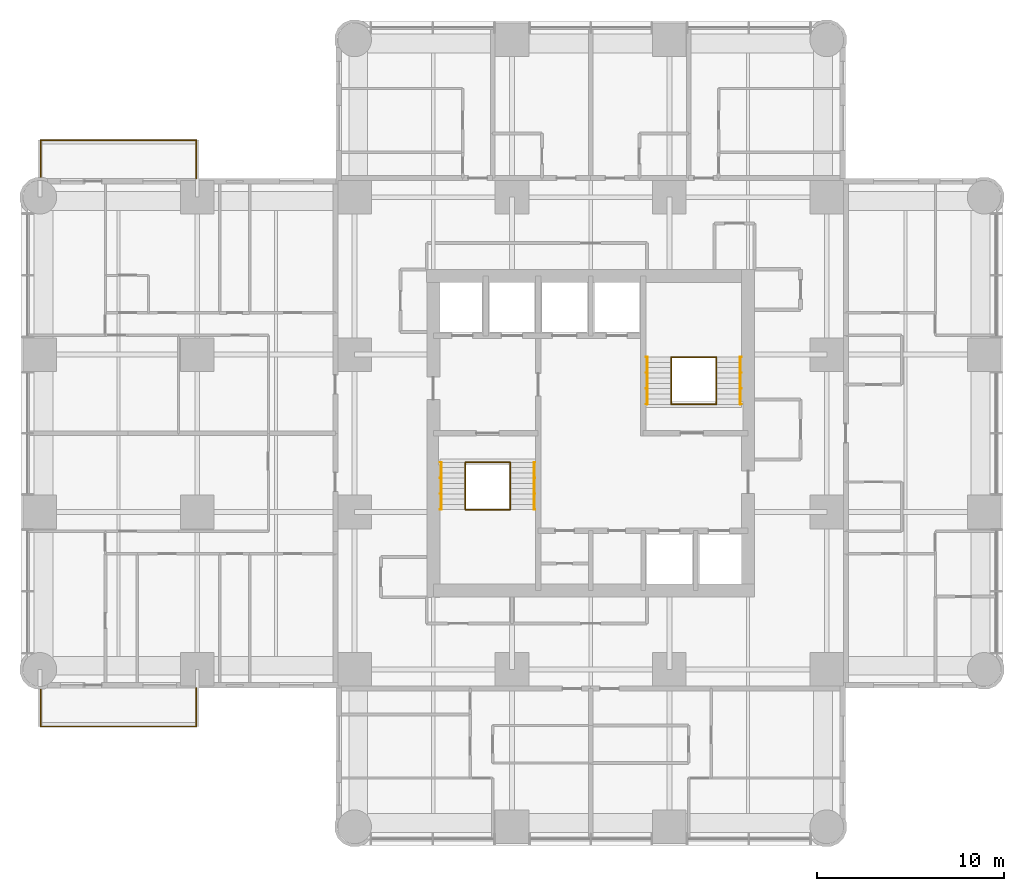
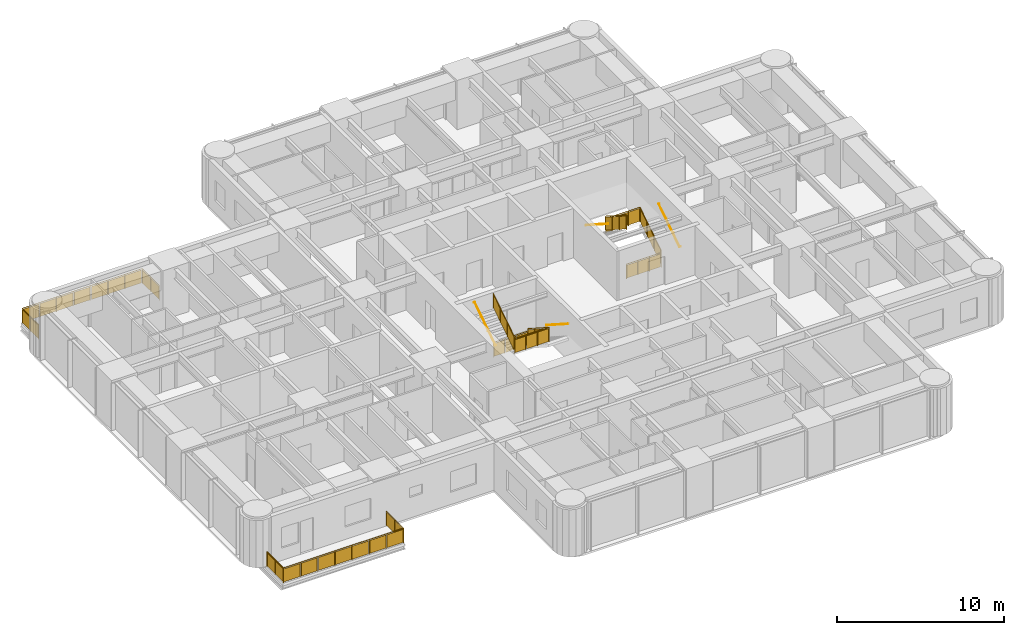
# One storey, part 11 of 11: 14 railings.
"""IFC4 building model written with IfcOpenShell, lengths in metres."""

from ifc_helpers import new_model, si_unit, direction, frame, origin, origin_2d, place, context, subcontext, project, spatial, polyline, circle, outline, extrude, material, constituent, constituent_set, type_object, element, save


model = new_model("IFC4")

# Units and contexts
model_context = context("Model", 3, precision=1e-05, world=origin(), true_north=direction((0.0, 1.0)))
body_context = subcontext(model_context, "Body", "Model", "MODEL_VIEW")
ifc_project = project(units=[si_unit("LENGTHUNIT", "METRE"), si_unit("AREAUNIT", "SQUARE_METRE"), si_unit("VOLUMEUNIT", "CUBIC_METRE"), si_unit("PLANEANGLEUNIT", "RADIAN"), si_unit("MASSUNIT", "GRAM", prefix="KILO")], contexts=[model_context])

# Site, building, storey
site_placement = place(None, origin())
site = spatial("IfcSite", under=ifc_project, at=site_placement, CompositionType="ELEMENT")
building_placement = place(site_placement, origin())
building = spatial("IfcBuilding", under=site, at=building_placement, Name="Torre Alcanfor", CompositionType="ELEMENT")
storey_placement = place(building_placement, frame((0.0, 0.0, 186.89990234375)))
storey = spatial("IfcBuildingStorey", under=building, at=storey_placement, Name="L48", CompositionType="ELEMENT", Elevation=186.89990234375)

# Railings
ifc_material_1 = material(Name="Laminated safety glass", Category="glass")
ifc_constituent_1 = constituent(ifc_material_1, Name="Infill")
ifc_material_2 = material(Name="Stainless steel ASTM A554 Grade MT 316L tube", Category="steel")
ifc_constituent_2 = constituent(ifc_material_2, Name="Posts and rail")
ifc_constituent_set = constituent_set(constituents=[ifc_constituent_1, ifc_constituent_2], Name="Balcony guard glass 1100")
railing_type_1 = type_object("IfcRailingType", Name="Balcony guard glass 1100", PredefinedType="BALUSTRADE", material=ifc_constituent_set)
railing_1_placement = place(storey_placement, frame((8.35009765625, 15.800048828125, 0.0)))
element("IfcRailing", 1, at=railing_1_placement, inside=storey, type_object=railing_type_1, Name="Balcony guard L48-W1", PredefinedType="BALUSTRADE", context=body_context, shape_type="SweptSolid", body=[
    extrude(circle(Radius=0.02392578125, at=origin_2d()), frame((0.0, 0.0, 1.076171875), z_axis=(0.0, -1.0, 0.0), x_axis=(1.0, 0.0, 0.0)), (0.0, 0.0, 1.0), 2.050048828125),
    extrude(circle(Radius=0.02392578125, at=origin_2d()), frame((0.0, -2.050048828125, 1.076171875), z_axis=(-1.0, 0.0, 0.0), x_axis=(0.0, -1.0, 0.0)), (0.0, 0.0, 1.0), 8.300048828125),
    extrude(circle(Radius=0.02392578125, at=origin_2d()), frame((-8.300048828125, -2.050048828125, 1.076171875), z_axis=(0.0, 1.0, 0.0), x_axis=(-1.0, 0.0, 0.0)), (0.0, 0.0, 1.0), 1.968994140625),
    extrude(circle(Radius=0.02099609375, at=origin_2d()), origin(), (0.0, 0.0, 1.0), 1.052001953125),
    extrude(circle(Radius=0.02099609375, at=origin_2d()), frame((0.0, -1.02490234375, 0.0)), (0.0, 0.0, 1.0), 1.052001953125),
    extrude(circle(Radius=0.02099609375, at=origin_2d()), frame((0.0, -2.050048828125, 0.0)), (0.0, 0.0, 1.0), 1.052001953125),
    extrude(circle(Radius=0.02099609375, at=origin_2d()), frame((-1.185791015625, -2.050048828125, 0.0)), (0.0, 0.0, 1.0), 1.052001953125),
    extrude(circle(Radius=0.02099609375, at=origin_2d()), frame((-2.371337890625, -2.050048828125, 0.0)), (0.0, 0.0, 1.0), 1.052001953125),
    extrude(circle(Radius=0.02099609375, at=origin_2d()), frame((-3.55712890625, -2.050048828125, 0.0)), (0.0, 0.0, 1.0), 1.052001953125),
    extrude(circle(Radius=0.02099609375, at=origin_2d()), frame((-4.742919921875, -2.050048828125, 0.0)), (0.0, 0.0, 1.0), 1.052001953125),
    extrude(circle(Radius=0.02099609375, at=origin_2d()), frame((-5.9287109375, -2.050048828125, 0.0)), (0.0, 0.0, 1.0), 1.052001953125),
    extrude(circle(Radius=0.02099609375, at=origin_2d()), frame((-7.1142578125, -2.050048828125, 0.0)), (0.0, 0.0, 1.0), 1.052001953125),
    extrude(circle(Radius=0.02099609375, at=origin_2d()), frame((-8.300048828125, -2.050048828125, 0.0)), (0.0, 0.0, 1.0), 1.052001953125),
    extrude(circle(Radius=0.02099609375, at=origin_2d()), frame((-8.300048828125, -1.0654296875, 0.0)), (0.0, 0.0, 1.0), 1.052001953125),
    extrude(circle(Radius=0.02099609375, at=origin_2d()), frame((-8.300048828125, -0.0810546875, 0.0)), (0.0, 0.0, 1.0), 1.052001953125),
    extrude(outline(polyline([(0.041015625, 0.050048828125), (0.984130859375, 0.050048828125), (0.984130859375, 1.001953125), (0.041015625, 1.001953125), (0.041015625, 0.050048828125)])), frame((0.005859375, 0.0, 0.0), z_axis=(-1.0, 0.0, 0.0), x_axis=(0.0, -1.0, 0.0)), (0.0, 0.0, 1.0), 0.011962890625),
    extrude(outline(polyline([(1.06591796875, 0.050048828125), (2.009033203125, 0.050048828125), (2.009033203125, 1.001953125), (1.06591796875, 1.001953125), (1.06591796875, 0.050048828125)])), frame((0.005859375, 0.0, 0.0), z_axis=(-1.0, 0.0, 0.0), x_axis=(0.0, -1.0, 0.0)), (0.0, 0.0, 1.0), 0.011962890625),
    extrude(outline(polyline([(0.041015625, 0.050048828125), (1.144775390625, 0.050048828125), (1.144775390625, 1.001953125), (0.041015625, 1.001953125), (0.041015625, 0.050048828125)])), frame((0.0, -2.05615234375, 0.0), z_axis=(0.0, 1.0, 0.0), x_axis=(-1.0, 0.0, 0.0)), (0.0, 0.0, 1.0), 0.011962890625),
    extrude(outline(polyline([(1.226806640625, 0.050048828125), (2.330322265625, 0.050048828125), (2.330322265625, 1.001953125), (1.226806640625, 1.001953125), (1.226806640625, 0.050048828125)])), frame((0.0, -2.05615234375, 0.0), z_axis=(0.0, 1.0, 0.0), x_axis=(-1.0, 0.0, 0.0)), (0.0, 0.0, 1.0), 0.011962890625),
    extrude(outline(polyline([(2.412353515625, 0.050048828125), (3.51611328125, 0.050048828125), (3.51611328125, 1.001953125), (2.412353515625, 1.001953125), (2.412353515625, 0.050048828125)])), frame((0.0, -2.05615234375, 0.0), z_axis=(0.0, 1.0, 0.0), x_axis=(-1.0, 0.0, 0.0)), (0.0, 0.0, 1.0), 0.011962890625),
    extrude(outline(polyline([(3.59814453125, 0.050048828125), (4.701904296875, 0.050048828125), (4.701904296875, 1.001953125), (3.59814453125, 1.001953125), (3.59814453125, 0.050048828125)])), frame((0.0, -2.05615234375, 0.0), z_axis=(0.0, 1.0, 0.0), x_axis=(-1.0, 0.0, 0.0)), (0.0, 0.0, 1.0), 0.011962890625),
    extrude(outline(polyline([(4.783935546875, 0.050048828125), (5.8876953125, 0.050048828125), (5.8876953125, 1.001953125), (4.783935546875, 1.001953125), (4.783935546875, 0.050048828125)])), frame((0.0, -2.05615234375, 0.0), z_axis=(0.0, 1.0, 0.0), x_axis=(-1.0, 0.0, 0.0)), (0.0, 0.0, 1.0), 0.011962890625),
    extrude(outline(polyline([(5.9697265625, 0.050048828125), (7.0732421875, 0.050048828125), (7.0732421875, 1.001953125), (5.9697265625, 1.001953125), (5.9697265625, 0.050048828125)])), frame((0.0, -2.05615234375, 0.0), z_axis=(0.0, 1.0, 0.0), x_axis=(-1.0, 0.0, 0.0)), (0.0, 0.0, 1.0), 0.011962890625),
    extrude(outline(polyline([(7.1552734375, 0.050048828125), (8.259033203125, 0.050048828125), (8.259033203125, 1.001953125), (7.1552734375, 1.001953125), (7.1552734375, 0.050048828125)])), frame((0.0, -2.05615234375, 0.0), z_axis=(0.0, 1.0, 0.0), x_axis=(-1.0, 0.0, 0.0)), (0.0, 0.0, 1.0), 0.011962890625),
    extrude(outline(polyline([(0.041015625, 0.050048828125), (0.943603515625, 0.050048828125), (0.943603515625, 1.001953125), (0.041015625, 1.001953125), (0.041015625, 0.050048828125)])), frame((-8.30615234375, -2.050048828125, 0.0), z_axis=(1.0, 0.0, 0.0), x_axis=(0.0, 1.0, 0.0)), (0.0, 0.0, 1.0), 0.011962890625),
    extrude(outline(polyline([(1.025390625, 0.050048828125), (1.927978515625, 0.050048828125), (1.927978515625, 1.001953125), (1.025390625, 1.001953125), (1.025390625, 0.050048828125)])), frame((-8.30615234375, -2.050048828125, 0.0), z_axis=(1.0, 0.0, 0.0), x_axis=(0.0, 1.0, 0.0)), (0.0, 0.0, 1.0), 0.011962890625),
])
railing_2_placement = place(storey_placement, frame((8.35009765625, 43.0, 0.0)))
element("IfcRailing", 2, at=railing_2_placement, inside=storey, type_object=railing_type_1, Name="Balcony guard L48-W2", PredefinedType="BALUSTRADE", context=body_context, shape_type="SweptSolid", body=[
    extrude(circle(Radius=0.02392578125, at=origin_2d()), frame((0.0, 0.0, 1.076171875), z_axis=(0.0, 1.0, 0.0), x_axis=(-1.0, 0.0, 0.0)), (0.0, 0.0, 1.0), 2.050048828125),
    extrude(circle(Radius=0.02392578125, at=origin_2d()), frame((0.0, 2.050048828125, 1.076171875), z_axis=(-1.0, 0.0, 0.0), x_axis=(0.0, -1.0, 0.0)), (0.0, 0.0, 1.0), 8.300048828125),
    extrude(circle(Radius=0.02392578125, at=origin_2d()), frame((-8.300048828125, 2.050048828125, 1.076171875), z_axis=(0.0, -1.0, 0.0), x_axis=(1.0, 0.0, 0.0)), (0.0, 0.0, 1.0), 1.968994140625),
    extrude(circle(Radius=0.02099609375, at=origin_2d()), origin(), (0.0, 0.0, 1.0), 1.052001953125),
    extrude(circle(Radius=0.02099609375, at=origin_2d()), frame((0.0, 1.02490234375, 0.0)), (0.0, 0.0, 1.0), 1.052001953125),
    extrude(circle(Radius=0.02099609375, at=origin_2d()), frame((0.0, 2.050048828125, 0.0)), (0.0, 0.0, 1.0), 1.052001953125),
    extrude(circle(Radius=0.02099609375, at=origin_2d()), frame((-1.185791015625, 2.050048828125, 0.0)), (0.0, 0.0, 1.0), 1.052001953125),
    extrude(circle(Radius=0.02099609375, at=origin_2d()), frame((-2.371337890625, 2.050048828125, 0.0)), (0.0, 0.0, 1.0), 1.052001953125),
    extrude(circle(Radius=0.02099609375, at=origin_2d()), frame((-3.55712890625, 2.050048828125, 0.0)), (0.0, 0.0, 1.0), 1.052001953125),
    extrude(circle(Radius=0.02099609375, at=origin_2d()), frame((-4.742919921875, 2.050048828125, 0.0)), (0.0, 0.0, 1.0), 1.052001953125),
    extrude(circle(Radius=0.02099609375, at=origin_2d()), frame((-5.9287109375, 2.050048828125, 0.0)), (0.0, 0.0, 1.0), 1.052001953125),
    extrude(circle(Radius=0.02099609375, at=origin_2d()), frame((-7.1142578125, 2.050048828125, 0.0)), (0.0, 0.0, 1.0), 1.052001953125),
    extrude(circle(Radius=0.02099609375, at=origin_2d()), frame((-8.300048828125, 2.050048828125, 0.0)), (0.0, 0.0, 1.0), 1.052001953125),
    extrude(circle(Radius=0.02099609375, at=origin_2d()), frame((-8.300048828125, 1.0654296875, 0.0)), (0.0, 0.0, 1.0), 1.052001953125),
    extrude(circle(Radius=0.02099609375, at=origin_2d()), frame((-8.300048828125, 0.0810546875, 0.0)), (0.0, 0.0, 1.0), 1.052001953125),
    extrude(outline(polyline([(0.041015625, 0.050048828125), (0.984130859375, 0.050048828125), (0.984130859375, 1.001953125), (0.041015625, 1.001953125), (0.041015625, 0.050048828125)])), frame((-0.005859375, 0.0, 0.0), z_axis=(1.0, 0.0, 0.0), x_axis=(0.0, 1.0, 0.0)), (0.0, 0.0, 1.0), 0.011962890625),
    extrude(outline(polyline([(1.06591796875, 0.050048828125), (2.009033203125, 0.050048828125), (2.009033203125, 1.001953125), (1.06591796875, 1.001953125), (1.06591796875, 0.050048828125)])), frame((-0.005859375, 0.0, 0.0), z_axis=(1.0, 0.0, 0.0), x_axis=(0.0, 1.0, 0.0)), (0.0, 0.0, 1.0), 0.011962890625),
    extrude(outline(polyline([(0.041015625, 0.050048828125), (1.144775390625, 0.050048828125), (1.144775390625, 1.001953125), (0.041015625, 1.001953125), (0.041015625, 0.050048828125)])), frame((0.0, 2.0439453125, 0.0), z_axis=(0.0, 1.0, 0.0), x_axis=(-1.0, 0.0, 0.0)), (0.0, 0.0, 1.0), 0.011962890625),
    extrude(outline(polyline([(1.226806640625, 0.050048828125), (2.330322265625, 0.050048828125), (2.330322265625, 1.001953125), (1.226806640625, 1.001953125), (1.226806640625, 0.050048828125)])), frame((0.0, 2.0439453125, 0.0), z_axis=(0.0, 1.0, 0.0), x_axis=(-1.0, 0.0, 0.0)), (0.0, 0.0, 1.0), 0.011962890625),
    extrude(outline(polyline([(2.412353515625, 0.050048828125), (3.51611328125, 0.050048828125), (3.51611328125, 1.001953125), (2.412353515625, 1.001953125), (2.412353515625, 0.050048828125)])), frame((0.0, 2.0439453125, 0.0), z_axis=(0.0, 1.0, 0.0), x_axis=(-1.0, 0.0, 0.0)), (0.0, 0.0, 1.0), 0.011962890625),
    extrude(outline(polyline([(3.59814453125, 0.050048828125), (4.701904296875, 0.050048828125), (4.701904296875, 1.001953125), (3.59814453125, 1.001953125), (3.59814453125, 0.050048828125)])), frame((0.0, 2.0439453125, 0.0), z_axis=(0.0, 1.0, 0.0), x_axis=(-1.0, 0.0, 0.0)), (0.0, 0.0, 1.0), 0.011962890625),
    extrude(outline(polyline([(4.783935546875, 0.050048828125), (5.8876953125, 0.050048828125), (5.8876953125, 1.001953125), (4.783935546875, 1.001953125), (4.783935546875, 0.050048828125)])), frame((0.0, 2.0439453125, 0.0), z_axis=(0.0, 1.0, 0.0), x_axis=(-1.0, 0.0, 0.0)), (0.0, 0.0, 1.0), 0.011962890625),
    extrude(outline(polyline([(5.9697265625, 0.050048828125), (7.0732421875, 0.050048828125), (7.0732421875, 1.001953125), (5.9697265625, 1.001953125), (5.9697265625, 0.050048828125)])), frame((0.0, 2.0439453125, 0.0), z_axis=(0.0, 1.0, 0.0), x_axis=(-1.0, 0.0, 0.0)), (0.0, 0.0, 1.0), 0.011962890625),
    extrude(outline(polyline([(7.1552734375, 0.050048828125), (8.259033203125, 0.050048828125), (8.259033203125, 1.001953125), (7.1552734375, 1.001953125), (7.1552734375, 0.050048828125)])), frame((0.0, 2.0439453125, 0.0), z_axis=(0.0, 1.0, 0.0), x_axis=(-1.0, 0.0, 0.0)), (0.0, 0.0, 1.0), 0.011962890625),
    extrude(outline(polyline([(0.041015625, 0.050048828125), (0.943603515625, 0.050048828125), (0.943603515625, 1.001953125), (0.041015625, 1.001953125), (0.041015625, 0.050048828125)])), frame((-8.2939453125, 2.050048828125, 0.0), z_axis=(-1.0, 0.0, 0.0), x_axis=(0.0, -1.0, 0.0)), (0.0, 0.0, 1.0), 0.011962890625),
    extrude(outline(polyline([(1.025390625, 0.050048828125), (1.927978515625, 0.050048828125), (1.927978515625, 1.001953125), (1.025390625, 1.001953125), (1.025390625, 0.050048828125)])), frame((-8.2939453125, 2.050048828125, 0.0), z_axis=(-1.0, 0.0, 0.0), x_axis=(0.0, -1.0, 0.0)), (0.0, 0.0, 1.0), 0.011962890625),
])
ifc_material_3 = material(Name="Steel ASTM A500 Grade C hollow sections", Category="steel")
railing_type_2 = type_object("IfcRailingType", Name="Stair guard and handrail 1100", PredefinedType="GUARDRAIL", material=ifc_material_3)
railing_3_placement = place(storey_placement, frame((25.10009765625, 27.85009765625, 0.18017578125)))
element("IfcRailing", 3, at=railing_3_placement, inside=storey, type_object=railing_type_2, Name="Stair guard S1 L48 flight 1", PredefinedType="GUARDRAIL", context=body_context, shape_type="SweptSolid", body=[
    extrude(circle(Radius=0.02392578125, at=origin_2d()), frame((0.0, 0.0, 1.076171875), z_axis=(0.0, -0.841199657755, 0.540724639528), x_axis=(1.0, 0.0, 0.0)), (0.0, 0.0, 1.0), 2.995849609375),
    extrude(circle(Radius=0.02099609375, at=origin_2d()), origin(), (0.0, 0.0, 1.0), 1.052001953125),
    extrude(circle(Radius=0.02099609375, at=origin_2d()), frame((0.0, -0.840087890625, 0.5400390625)), (0.0, 0.0, 1.0), 1.052001953125),
    extrude(circle(Radius=0.02099609375, at=origin_2d()), frame((0.0, -1.679931640625, 1.079833984375)), (0.0, 0.0, 1.0), 1.052001953125),
    extrude(circle(Radius=0.02099609375, at=origin_2d()), frame((0.0, -2.52001953125, 1.619873046875)), (0.0, 0.0, 1.0), 1.052001953125),
    extrude(outline(polyline([(0.041015625, 0.076416015625), (0.799072265625, 0.563720703125), (0.799072265625, 1.515625), (0.041015625, 1.0283203125), (0.041015625, 0.076416015625)])), frame((0.005859375, 0.0, 0.0), z_axis=(-1.0, 0.0, 0.0), x_axis=(0.0, -1.0, 0.0)), (0.0, 0.0, 1.0), 0.011962890625),
    extrude(outline(polyline([(0.881103515625, 0.6162109375), (1.638916015625, 1.103515625), (1.638916015625, 2.0556640625), (0.881103515625, 1.568359375), (0.881103515625, 0.6162109375)])), frame((0.005859375, 0.0, 0.0), z_axis=(-1.0, 0.0, 0.0), x_axis=(0.0, -1.0, 0.0)), (0.0, 0.0, 1.0), 0.011962890625),
    extrude(outline(polyline([(1.720947265625, 1.15625), (2.47900390625, 1.6435546875), (2.47900390625, 2.595458984375), (1.720947265625, 2.108154296875), (1.720947265625, 1.15625)])), frame((0.005859375, 0.0, 0.0), z_axis=(-1.0, 0.0, 0.0), x_axis=(0.0, -1.0, 0.0)), (0.0, 0.0, 1.0), 0.011962890625),
])
railing_4_placement = place(storey_placement, frame((22.699951171875, 25.330078125, 1.97998046875)))
element("IfcRailing", 4, at=railing_4_placement, inside=storey, type_object=railing_type_2, Name="Stair guard S1 L48 flight 2", PredefinedType="GUARDRAIL", context=body_context, shape_type="SweptSolid", body=[
    extrude(circle(Radius=0.02392578125, at=origin_2d()), frame((0.0, 0.0, 1.076171875), z_axis=(0.0, 0.841162588446, 0.540782303519), x_axis=(-1.0, 0.0, 0.0)), (0.0, 0.0, 1.0), 2.995849609375),
    extrude(circle(Radius=0.02099609375, at=origin_2d()), origin(), (0.0, 0.0, 1.0), 1.052001953125),
    extrude(circle(Radius=0.02099609375, at=origin_2d()), frame((0.0, 0.840087890625, 0.5400390625)), (0.0, 0.0, 1.0), 1.052001953125),
    extrude(circle(Radius=0.02099609375, at=origin_2d()), frame((0.0, 1.679931640625, 1.080078125)), (0.0, 0.0, 1.0), 1.052001953125),
    extrude(circle(Radius=0.02099609375, at=origin_2d()), frame((0.0, 2.52001953125, 1.6201171875)), (0.0, 0.0, 1.0), 1.052001953125),
    extrude(outline(polyline([(0.041015625, 0.076416015625), (0.799072265625, 0.563720703125), (0.799072265625, 1.515625), (0.041015625, 1.0283203125), (0.041015625, 0.076416015625)])), frame((-0.005859375, 0.0, 0.0), z_axis=(1.0, 0.0, 0.0), x_axis=(0.0, 1.0, 0.0)), (0.0, 0.0, 1.0), 0.011962890625),
    extrude(outline(polyline([(0.881103515625, 0.616455078125), (1.638916015625, 1.103759765625), (1.638916015625, 2.0556640625), (0.881103515625, 1.568359375), (0.881103515625, 0.616455078125)])), frame((-0.005859375, 0.0, 0.0), z_axis=(1.0, 0.0, 0.0), x_axis=(0.0, 1.0, 0.0)), (0.0, 0.0, 1.0), 0.011962890625),
    extrude(outline(polyline([(1.720947265625, 1.156494140625), (2.47900390625, 1.643798828125), (2.47900390625, 2.595703125), (1.720947265625, 2.1083984375), (1.720947265625, 1.156494140625)])), frame((-0.005859375, 0.0, 0.0), z_axis=(1.0, 0.0, 0.0), x_axis=(0.0, 1.0, 0.0)), (0.0, 0.0, 1.0), 0.011962890625),
])
for number, where, name in (
    (5, (22.699951171875, 27.85009765625, 0.0), "Stair well guard S1 L48 floor landing"),
    (6, (22.699951171875, 25.330078125, 1.800048828125), "Stair well guard S1 L48 half landing"),
):
    element("IfcRailing", number, at=place(storey_placement, frame(where)), inside=storey, type_object=railing_type_2, Name=name, PredefinedType="GUARDRAIL", context=body_context, shape_type="SweptSolid", body=[
        extrude(circle(Radius=0.02392578125, at=origin_2d()), frame((0.0, 0.0, 1.076171875), z_axis=(1.0, 0.0, 0.0), x_axis=(0.0, 1.0, 0.0)), (0.0, 0.0, 1.0), 2.400146484375),
        extrude(circle(Radius=0.02099609375, at=origin_2d()), origin(), (0.0, 0.0, 1.0), 1.052001953125),
        extrude(circle(Radius=0.02099609375, at=origin_2d()), frame((0.800048828125, 0.0, 0.0)), (0.0, 0.0, 1.0), 1.052001953125),
        extrude(circle(Radius=0.02099609375, at=origin_2d()), frame((1.60009765625, 0.0, 0.0)), (0.0, 0.0, 1.0), 1.052001953125),
        extrude(circle(Radius=0.02099609375, at=origin_2d()), frame((2.400146484375, 0.0, 0.0)), (0.0, 0.0, 1.0), 1.052001953125),
        extrude(outline(polyline([(0.041015625, 0.050048828125), (0.759033203125, 0.050048828125), (0.759033203125, 1.001953125), (0.041015625, 1.001953125), (0.041015625, 0.050048828125)])), frame((0.0, 0.005859375, 0.0), z_axis=(0.0, -1.0, 0.0), x_axis=(1.0, 0.0, 0.0)), (0.0, 0.0, 1.0), 0.011962890625),
        extrude(outline(polyline([(0.841064453125, 0.050048828125), (1.55908203125, 0.050048828125), (1.55908203125, 1.001953125), (0.841064453125, 1.001953125), (0.841064453125, 0.050048828125)])), frame((0.0, 0.005859375, 0.0), z_axis=(0.0, -1.0, 0.0), x_axis=(1.0, 0.0, 0.0)), (0.0, 0.0, 1.0), 0.011962890625),
        extrude(outline(polyline([(1.64111328125, 0.050048828125), (2.359130859375, 0.050048828125), (2.359130859375, 1.001953125), (1.64111328125, 1.001953125), (1.64111328125, 0.050048828125)])), frame((0.0, 0.005859375, 0.0), z_axis=(0.0, -1.0, 0.0), x_axis=(1.0, 0.0, 0.0)), (0.0, 0.0, 1.0), 0.011962890625),
    ])
railing_5_placement = place(storey_placement, frame((36.10009765625, 30.949951171875, 0.18017578125)))
element("IfcRailing", 7, at=railing_5_placement, inside=storey, type_object=railing_type_2, Name="Stair guard S2 L48 flight 1", PredefinedType="GUARDRAIL", context=body_context, shape_type="SweptSolid", body=[
    extrude(circle(Radius=0.02392578125, at=origin_2d()), frame((0.0, 0.0, 1.076171875), z_axis=(0.0, 0.841199657755, 0.540724639528), x_axis=(-1.0, 0.0, 0.0)), (0.0, 0.0, 1.0), 2.995849609375),
    extrude(circle(Radius=0.02099609375, at=origin_2d()), origin(), (0.0, 0.0, 1.0), 1.052001953125),
    extrude(circle(Radius=0.02099609375, at=origin_2d()), frame((0.0, 0.840087890625, 0.5400390625)), (0.0, 0.0, 1.0), 1.052001953125),
    extrude(circle(Radius=0.02099609375, at=origin_2d()), frame((0.0, 1.679931640625, 1.079833984375)), (0.0, 0.0, 1.0), 1.052001953125),
    extrude(circle(Radius=0.02099609375, at=origin_2d()), frame((0.0, 2.52001953125, 1.619873046875)), (0.0, 0.0, 1.0), 1.052001953125),
    extrude(outline(polyline([(0.041015625, 0.076416015625), (0.799072265625, 0.563720703125), (0.799072265625, 1.515625), (0.041015625, 1.0283203125), (0.041015625, 0.076416015625)])), frame((-0.005859375, 0.0, 0.0), z_axis=(1.0, 0.0, 0.0), x_axis=(0.0, 1.0, 0.0)), (0.0, 0.0, 1.0), 0.011962890625),
    extrude(outline(polyline([(0.881103515625, 0.6162109375), (1.638916015625, 1.103515625), (1.638916015625, 2.0556640625), (0.881103515625, 1.568359375), (0.881103515625, 0.6162109375)])), frame((-0.005859375, 0.0, 0.0), z_axis=(1.0, 0.0, 0.0), x_axis=(0.0, 1.0, 0.0)), (0.0, 0.0, 1.0), 0.011962890625),
    extrude(outline(polyline([(1.720947265625, 1.15625), (2.47900390625, 1.6435546875), (2.47900390625, 2.595458984375), (1.720947265625, 2.108154296875), (1.720947265625, 1.15625)])), frame((-0.005859375, 0.0, 0.0), z_axis=(1.0, 0.0, 0.0), x_axis=(0.0, 1.0, 0.0)), (0.0, 0.0, 1.0), 0.011962890625),
])
railing_6_placement = place(storey_placement, frame((33.699951171875, 33.469970703125, 1.97998046875)))
element("IfcRailing", 8, at=railing_6_placement, inside=storey, type_object=railing_type_2, Name="Stair guard S2 L48 flight 2", PredefinedType="GUARDRAIL", context=body_context, shape_type="SweptSolid", body=[
    extrude(circle(Radius=0.02392578125, at=origin_2d()), frame((0.0, 0.0, 1.076171875), z_axis=(0.0, -0.841162588446, 0.540782303519), x_axis=(1.0, 0.0, 0.0)), (0.0, 0.0, 1.0), 2.995849609375),
    extrude(circle(Radius=0.02099609375, at=origin_2d()), origin(), (0.0, 0.0, 1.0), 1.052001953125),
    extrude(circle(Radius=0.02099609375, at=origin_2d()), frame((0.0, -0.840087890625, 0.5400390625)), (0.0, 0.0, 1.0), 1.052001953125),
    extrude(circle(Radius=0.02099609375, at=origin_2d()), frame((0.0, -1.679931640625, 1.080078125)), (0.0, 0.0, 1.0), 1.052001953125),
    extrude(circle(Radius=0.02099609375, at=origin_2d()), frame((0.0, -2.52001953125, 1.6201171875)), (0.0, 0.0, 1.0), 1.052001953125),
    extrude(outline(polyline([(0.041015625, 0.076416015625), (0.799072265625, 0.563720703125), (0.799072265625, 1.515625), (0.041015625, 1.0283203125), (0.041015625, 0.076416015625)])), frame((0.005859375, 0.0, 0.0), z_axis=(-1.0, 0.0, 0.0), x_axis=(0.0, -1.0, 0.0)), (0.0, 0.0, 1.0), 0.011962890625),
    extrude(outline(polyline([(0.881103515625, 0.616455078125), (1.638916015625, 1.103759765625), (1.638916015625, 2.0556640625), (0.881103515625, 1.568359375), (0.881103515625, 0.616455078125)])), frame((0.005859375, 0.0, 0.0), z_axis=(-1.0, 0.0, 0.0), x_axis=(0.0, -1.0, 0.0)), (0.0, 0.0, 1.0), 0.011962890625),
    extrude(outline(polyline([(1.720947265625, 1.156494140625), (2.47900390625, 1.643798828125), (2.47900390625, 2.595703125), (1.720947265625, 2.1083984375), (1.720947265625, 1.156494140625)])), frame((0.005859375, 0.0, 0.0), z_axis=(-1.0, 0.0, 0.0), x_axis=(0.0, -1.0, 0.0)), (0.0, 0.0, 1.0), 0.011962890625),
])
for number, where, name in (
    (9, (33.699951171875, 30.949951171875, 0.0), "Stair well guard S2 L48 floor landing"),
    (10, (33.699951171875, 33.469970703125, 1.800048828125), "Stair well guard S2 L48 half landing"),
):
    element("IfcRailing", number, at=place(storey_placement, frame(where)), inside=storey, type_object=railing_type_2, Name=name, PredefinedType="GUARDRAIL", context=body_context, shape_type="SweptSolid", body=[
        extrude(circle(Radius=0.02392578125, at=origin_2d()), frame((0.0, 0.0, 1.076171875), z_axis=(1.0, 0.0, 0.0), x_axis=(0.0, 1.0, 0.0)), (0.0, 0.0, 1.0), 2.400146484375),
        extrude(circle(Radius=0.02099609375, at=origin_2d()), origin(), (0.0, 0.0, 1.0), 1.052001953125),
        extrude(circle(Radius=0.02099609375, at=origin_2d()), frame((0.800048828125, 0.0, 0.0)), (0.0, 0.0, 1.0), 1.052001953125),
        extrude(circle(Radius=0.02099609375, at=origin_2d()), frame((1.60009765625, 0.0, 0.0)), (0.0, 0.0, 1.0), 1.052001953125),
        extrude(circle(Radius=0.02099609375, at=origin_2d()), frame((2.400146484375, 0.0, 0.0)), (0.0, 0.0, 1.0), 1.052001953125),
        extrude(outline(polyline([(0.041015625, 0.050048828125), (0.759033203125, 0.050048828125), (0.759033203125, 1.001953125), (0.041015625, 1.001953125), (0.041015625, 0.050048828125)])), frame((0.0, 0.005859375, 0.0), z_axis=(0.0, -1.0, 0.0), x_axis=(1.0, 0.0, 0.0)), (0.0, 0.0, 1.0), 0.011962890625),
        extrude(outline(polyline([(0.841064453125, 0.050048828125), (1.55908203125, 0.050048828125), (1.55908203125, 1.001953125), (0.841064453125, 1.001953125), (0.841064453125, 0.050048828125)])), frame((0.0, 0.005859375, 0.0), z_axis=(0.0, -1.0, 0.0), x_axis=(1.0, 0.0, 0.0)), (0.0, 0.0, 1.0), 0.011962890625),
        extrude(outline(polyline([(1.64111328125, 0.050048828125), (2.359130859375, 0.050048828125), (2.359130859375, 1.001953125), (1.64111328125, 1.001953125), (1.64111328125, 0.050048828125)])), frame((0.0, 0.005859375, 0.0), z_axis=(0.0, -1.0, 0.0), x_axis=(1.0, 0.0, 0.0)), (0.0, 0.0, 1.0), 0.011962890625),
    ])
ifc_material_4 = material(Name="Steel ASTM A500 Grade C hollow sections", Category="steel")
railing_type_3 = type_object("IfcRailingType", Name="Stair wall handrail 900", PredefinedType="HANDRAIL", material=ifc_material_4)
railing_7_placement = place(storey_placement, frame((26.385009765625, 27.85009765625, 0.18017578125)))
element("IfcRailing", 11, at=railing_7_placement, inside=storey, type_object=railing_type_3, Name="Stair handrail S1 L48 flight 1", PredefinedType="HANDRAIL", context=body_context, shape_type="SweptSolid", body=[
    extrude(circle(Radius=0.02392578125, at=origin_2d()), frame((0.0, 0.0, 0.8759765625), z_axis=(0.0, -0.841199657755, 0.540724639528), x_axis=(1.0, 0.0, 0.0)), (0.0, 0.0, 1.0), 2.995849609375),
    extrude(circle(Radius=0.008056640625, at=origin_2d()), frame((0.0, 0.0, 0.8759765625), z_axis=(1.0, 0.0, 0.0), x_axis=(0.0, 0.0, 1.0)), (0.0, 0.0, 1.0), 0.06494140625),
    extrude(circle(Radius=0.008056640625, at=origin_2d()), frame((0.0, -0.840087890625, 1.415771484375), z_axis=(1.0, 0.0, 0.0), x_axis=(0.0, 0.0, 1.0)), (0.0, 0.0, 1.0), 0.06494140625),
    extrude(circle(Radius=0.008056640625, at=origin_2d()), frame((0.0, -1.679931640625, 1.955810546875), z_axis=(1.0, 0.0, 0.0), x_axis=(0.0, 0.0, 1.0)), (0.0, 0.0, 1.0), 0.06494140625),
    extrude(circle(Radius=0.008056640625, at=origin_2d()), frame((0.0, -2.52001953125, 2.49560546875), z_axis=(1.0, 0.0, 0.0), x_axis=(0.0, 0.0, 1.0)), (0.0, 0.0, 1.0), 0.06494140625),
])
railing_8_placement = place(storey_placement, frame((21.4150390625, 25.330078125, 1.97998046875)))
element("IfcRailing", 12, at=railing_8_placement, inside=storey, type_object=railing_type_3, Name="Stair handrail S1 L48 flight 2", PredefinedType="HANDRAIL", context=body_context, shape_type="SweptSolid", body=[
    extrude(circle(Radius=0.02392578125, at=origin_2d()), frame((0.0, 0.0, 0.8759765625), z_axis=(0.0, 0.841162588446, 0.540782303519), x_axis=(-1.0, 0.0, 0.0)), (0.0, 0.0, 1.0), 2.995849609375),
    extrude(circle(Radius=0.008056640625, at=origin_2d()), frame((0.0, 0.0, 0.8759765625), z_axis=(-1.0, 0.0, 0.0), x_axis=(0.0, 0.0, 1.0)), (0.0, 0.0, 1.0), 0.06494140625),
    extrude(circle(Radius=0.008056640625, at=origin_2d()), frame((0.0, 0.840087890625, 1.416015625), z_axis=(-1.0, 0.0, 0.0), x_axis=(0.0, 0.0, 1.0)), (0.0, 0.0, 1.0), 0.06494140625),
    extrude(circle(Radius=0.008056640625, at=origin_2d()), frame((0.0, 1.679931640625, 1.9560546875), z_axis=(-1.0, 0.0, 0.0), x_axis=(0.0, 0.0, 1.0)), (0.0, 0.0, 1.0), 0.06494140625),
    extrude(circle(Radius=0.008056640625, at=origin_2d()), frame((0.0, 2.52001953125, 2.49609375), z_axis=(-1.0, 0.0, 0.0), x_axis=(0.0, 0.0, 1.0)), (0.0, 0.0, 1.0), 0.06494140625),
])
railing_9_placement = place(storey_placement, frame((37.385009765625, 30.949951171875, 0.18017578125)))
element("IfcRailing", 13, at=railing_9_placement, inside=storey, type_object=railing_type_3, Name="Stair handrail S2 L48 flight 1", PredefinedType="HANDRAIL", context=body_context, shape_type="SweptSolid", body=[
    extrude(circle(Radius=0.02392578125, at=origin_2d()), frame((0.0, 0.0, 0.8759765625), z_axis=(0.0, 0.841199657755, 0.540724639528), x_axis=(-1.0, 0.0, 0.0)), (0.0, 0.0, 1.0), 2.995849609375),
    extrude(circle(Radius=0.008056640625, at=origin_2d()), frame((0.0, 0.0, 0.8759765625), z_axis=(1.0, 0.0, 0.0), x_axis=(0.0, 0.0, 1.0)), (0.0, 0.0, 1.0), 0.06494140625),
    extrude(circle(Radius=0.008056640625, at=origin_2d()), frame((0.0, 0.840087890625, 1.415771484375), z_axis=(1.0, 0.0, 0.0), x_axis=(0.0, 0.0, 1.0)), (0.0, 0.0, 1.0), 0.06494140625),
    extrude(circle(Radius=0.008056640625, at=origin_2d()), frame((0.0, 1.679931640625, 1.955810546875), z_axis=(1.0, 0.0, 0.0), x_axis=(0.0, 0.0, 1.0)), (0.0, 0.0, 1.0), 0.06494140625),
    extrude(circle(Radius=0.008056640625, at=origin_2d()), frame((0.0, 2.52001953125, 2.49560546875), z_axis=(1.0, 0.0, 0.0), x_axis=(0.0, 0.0, 1.0)), (0.0, 0.0, 1.0), 0.06494140625),
])
railing_10_placement = place(storey_placement, frame((32.4150390625, 33.469970703125, 1.97998046875)))
element("IfcRailing", 14, at=railing_10_placement, inside=storey, type_object=railing_type_3, Name="Stair handrail S2 L48 flight 2", PredefinedType="HANDRAIL", context=body_context, shape_type="SweptSolid", body=[
    extrude(circle(Radius=0.02392578125, at=origin_2d()), frame((0.0, 0.0, 0.8759765625), z_axis=(0.0, -0.841162588446, 0.540782303519), x_axis=(1.0, 0.0, 0.0)), (0.0, 0.0, 1.0), 2.995849609375),
    extrude(circle(Radius=0.008056640625, at=origin_2d()), frame((0.0, 0.0, 0.8759765625), z_axis=(-1.0, 0.0, 0.0), x_axis=(0.0, 0.0, 1.0)), (0.0, 0.0, 1.0), 0.06494140625),
    extrude(circle(Radius=0.008056640625, at=origin_2d()), frame((0.0, -0.840087890625, 1.416015625), z_axis=(-1.0, 0.0, 0.0), x_axis=(0.0, 0.0, 1.0)), (0.0, 0.0, 1.0), 0.06494140625),
    extrude(circle(Radius=0.008056640625, at=origin_2d()), frame((0.0, -1.679931640625, 1.9560546875), z_axis=(-1.0, 0.0, 0.0), x_axis=(0.0, 0.0, 1.0)), (0.0, 0.0, 1.0), 0.06494140625),
    extrude(circle(Radius=0.008056640625, at=origin_2d()), frame((0.0, -2.52001953125, 2.49609375), z_axis=(-1.0, 0.0, 0.0), x_axis=(0.0, 0.0, 1.0)), (0.0, 0.0, 1.0), 0.06494140625),
])

save(model, "model.ifc")
